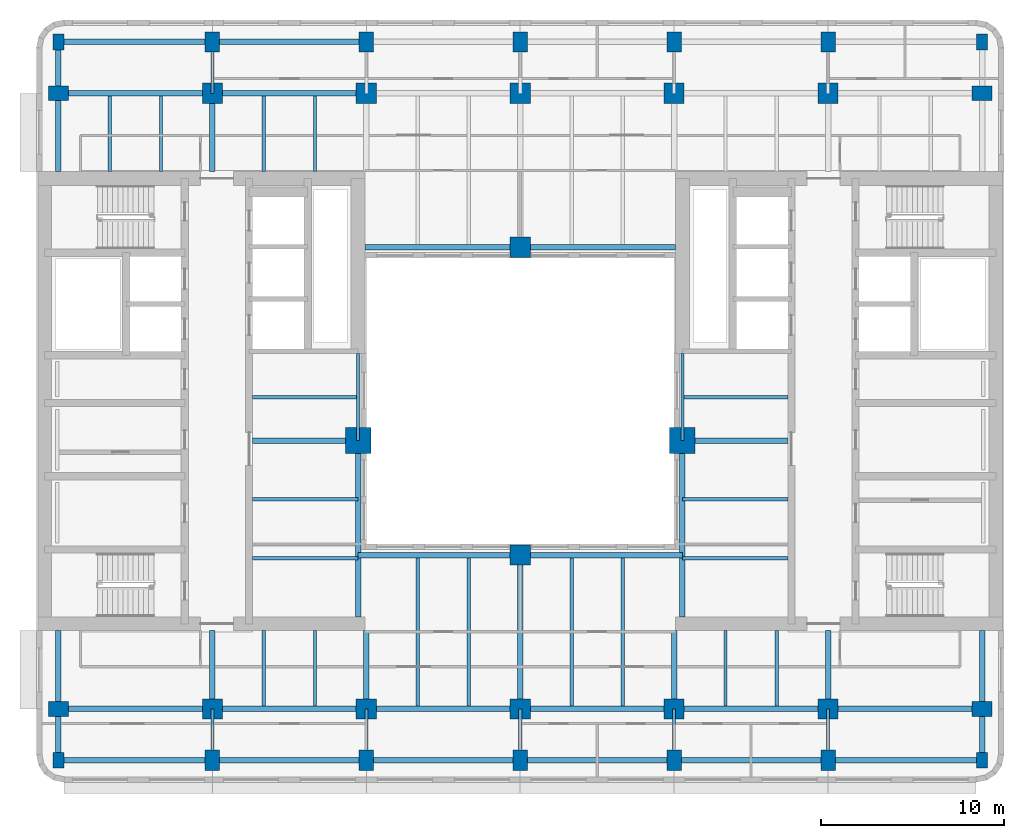
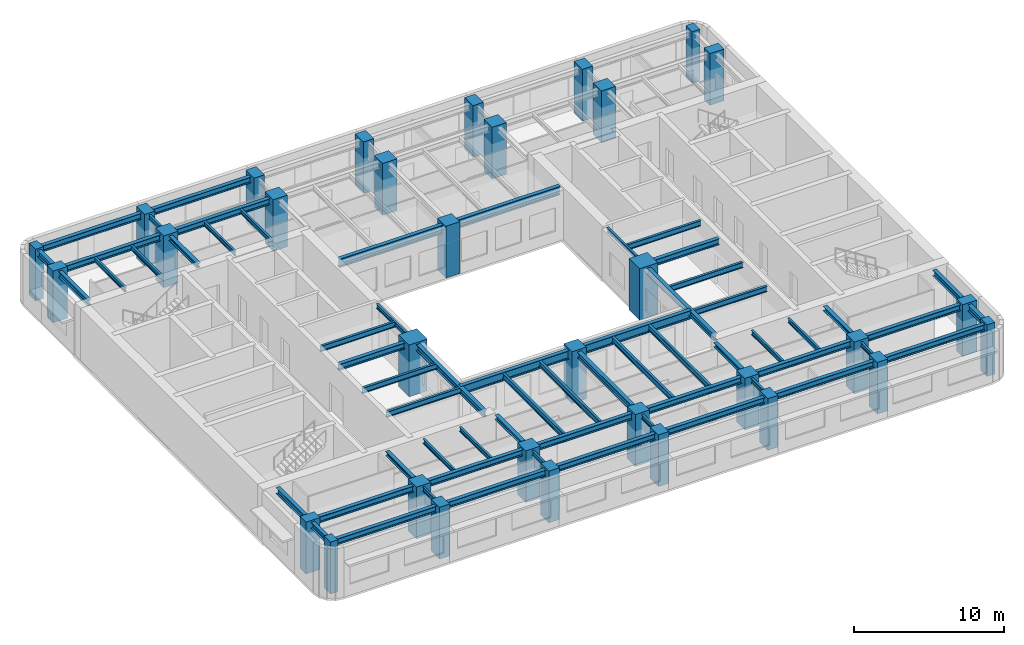
# One storey, part 1 of 11: 62 beams, 32 columns.
"""IFC4 building model written with IfcOpenShell, lengths in metres."""

from ifc_helpers import new_model, si_unit, direction, frame, origin, origin_2d, place, context, subcontext, project, spatial, rectangle, i_section, extrude, material, material_profile, profile_set, type_object, element, save


model = new_model("IFC4")

# Units and contexts
model_context = context("Model", 3, precision=1e-05, world=origin(), true_north=direction((0.0, 1.0)))
body_context = subcontext(model_context, "Body", "Model", "MODEL_VIEW")
ifc_project = project(units=[si_unit("LENGTHUNIT", "METRE"), si_unit("AREAUNIT", "SQUARE_METRE"), si_unit("VOLUMEUNIT", "CUBIC_METRE"), si_unit("PLANEANGLEUNIT", "RADIAN"), si_unit("MASSUNIT", "GRAM", prefix="KILO")], contexts=[model_context])

# Site, building, storey
site_placement = place(None, origin())
site = spatial("IfcSite", under=ifc_project, at=site_placement, CompositionType="ELEMENT")
building_placement = place(site_placement, origin())
building = spatial("IfcBuilding", under=site, at=building_placement, Name="Claustro Exchange Tower", CompositionType="ELEMENT")
storey_placement = place(building_placement, frame((0.0, 0.0, 232.199951171875)))
storey = spatial("IfcBuildingStorey", under=building, at=storey_placement, Name="L53", CompositionType="ELEMENT", Elevation=232.199951171875)

# Columns
ifc_material_1 = material(Name="Concrete HA-70 (C70/85)", Category="concrete")
ifc_material_profile_1 = material_profile(ifc_material_1, rectangle(XDim=1.39990234375, YDim=1.39990234375, at=origin_2d()), Name="RC 1400x1400")
ifc_profile_set_1 = profile_set([ifc_material_profile_1], Name="Concrete HA-70 (C70/85)")
column_type_1 = type_object("IfcColumnType", Name="C0 RC 1400x1400 HA-70 column", PredefinedType="COLUMN", material=ifc_profile_set_1)
for number, where, z_axis, x_axis, name in (
    (1, (16.35009765625, 23.050048828125, 0.0), (0.0, 0.0, 1.0), (1.0, 0.0, 0.0), "Column C0 2+7950/C+6250 L53"),
    (2, (34.050048828125, 23.050048828125, 0.0), (0.0, 0.0, 1.0), (1.0, 0.0, 0.0), "Column C0 5+450/C+6250 L53"),
):
    element("IfcColumn", number, at=place(storey_placement, frame(where, z_axis=z_axis, x_axis=x_axis)), inside=storey, type_object=column_type_1, Name=name, PredefinedType="COLUMN", context=body_context, shape_type="SweptSolid", body=[
        extrude(rectangle(XDim=1.39990234375, YDim=1.39990234375, at=origin_2d()), origin(), (0.0, 0.0, 1.0), 4.199951171875),
    ])
ifc_material_2 = material(Name="Concrete HA-70 (C70/85)", Category="concrete")
ifc_material_profile_2 = material_profile(ifc_material_2, rectangle(XDim=1.10009765625, YDim=1.10009765625, at=origin_2d()), Name="RC 1100x1100")
ifc_profile_set_2 = profile_set([ifc_material_profile_2], Name="Concrete HA-70 (C70/85)")
column_type_2 = type_object("IfcColumnType", Name="C17 RC 1100x1100 HA-70 column", PredefinedType="COLUMN", material=ifc_profile_set_2)
for number, where, z_axis, x_axis, name in (
    (3, (8.39990234375, 8.39990234375, 0.0), (0.0, 0.0, 1.0), (1.0, 0.0, 0.0), "Column C17 2/B L53"),
    (4, (8.39990234375, 42.0, 0.0), (0.0, 0.0, 1.0), (1.0, 0.0, 0.0), "Column C17 2/F L53"),
    (5, (16.800048828125, 8.39990234375, 0.0), (0.0, 0.0, 1.0), (1.0, 0.0, 0.0), "Column C17 3/B L53"),
    (6, (16.800048828125, 42.0, 0.0), (0.0, 0.0, 1.0), (1.0, 0.0, 0.0), "Column C17 3/F L53"),
    (7, (25.199951171875, 8.39990234375, 0.0), (0.0, 0.0, 1.0), (1.0, 0.0, 0.0), "Column C17 4/B L53"),
    (8, (25.199951171875, 42.0, 0.0), (0.0, 0.0, 1.0), (1.0, 0.0, 0.0), "Column C17 4/F L53"),
    (9, (25.199951171875, 16.800048828125, 0.0), (0.0, 0.0, 1.0), (1.0, 0.0, 0.0), "Column C17 4/C L53"),
    (10, (25.199951171875, 33.60009765625, 0.0), (0.0, 0.0, 1.0), (1.0, 0.0, 0.0), "Column C17 4/E L53"),
    (11, (33.60009765625, 8.39990234375, 0.0), (0.0, 0.0, 1.0), (1.0, 0.0, 0.0), "Column C17 5/B L53"),
    (12, (33.60009765625, 42.0, 0.0), (0.0, 0.0, 1.0), (1.0, 0.0, 0.0), "Column C17 5/F L53"),
    (13, (42.0, 8.39990234375, 0.0), (0.0, 0.0, 1.0), (1.0, 0.0, 0.0), "Column C17 6/B L53"),
    (14, (42.0, 42.0, 0.0), (0.0, 0.0, 1.0), (1.0, 0.0, 0.0), "Column C17 6/F L53"),
):
    element("IfcColumn", number, at=place(storey_placement, frame(where, z_axis=z_axis, x_axis=x_axis)), inside=storey, type_object=column_type_2, Name=name, PredefinedType="COLUMN", context=body_context, shape_type="SweptSolid", body=[
        extrude(rectangle(XDim=1.10009765625, YDim=1.10009765625, at=origin_2d()), origin(), (0.0, 0.0, 1.0), 4.199951171875),
    ])
ifc_material_3 = material(Name="Concrete HA-50 (C50/60)", Category="concrete")
ifc_material_profile_3 = material_profile(ifc_material_3, rectangle(XDim=0.800048828125, YDim=1.10009765625, at=origin_2d()), Name="RC 800x1100")
ifc_profile_set_3 = profile_set([ifc_material_profile_3], Name="Concrete HA-50 (C50/60)")
column_type_3 = type_object("IfcColumnType", Name="C23 RC 800x1100 HA-50 perimeter column", PredefinedType="COLUMN", material=ifc_profile_set_3)
for number, where, z_axis, x_axis, name in (
    (15, (0.0, 8.39990234375, 0.0), (0.0, 0.0, 1.0), (0.0, 1.0, 0.0), "Column C23 1/B L53"),
    (16, (0.0, 42.0, 0.0), (0.0, 0.0, 1.0), (0.0, 1.0, 0.0), "Column C23 1/F L53"),
    (17, (8.39990234375, 5.60009765625, 0.0), (0.0, 0.0, 1.0), (1.0, 0.0, 0.0), "Column C23 2/A+5600 L53"),
    (18, (8.39990234375, 44.800048828125, 0.0), (0.0, 0.0, 1.0), (1.0, 0.0, 0.0), "Column C23 2/F+2800 L53"),
    (19, (16.800048828125, 5.60009765625, 0.0), (0.0, 0.0, 1.0), (1.0, 0.0, 0.0), "Column C23 3/A+5600 L53"),
    (20, (16.800048828125, 44.800048828125, 0.0), (0.0, 0.0, 1.0), (1.0, 0.0, 0.0), "Column C23 3/F+2800 L53"),
    (21, (25.199951171875, 5.60009765625, 0.0), (0.0, 0.0, 1.0), (1.0, 0.0, 0.0), "Column C23 4/A+5600 L53"),
    (22, (25.199951171875, 44.800048828125, 0.0), (0.0, 0.0, 1.0), (1.0, 0.0, 0.0), "Column C23 4/F+2800 L53"),
    (23, (33.60009765625, 5.60009765625, 0.0), (0.0, 0.0, 1.0), (1.0, 0.0, 0.0), "Column C23 5/A+5600 L53"),
    (24, (33.60009765625, 44.800048828125, 0.0), (0.0, 0.0, 1.0), (1.0, 0.0, 0.0), "Column C23 5/F+2800 L53"),
    (25, (42.0, 5.60009765625, 0.0), (0.0, 0.0, 1.0), (1.0, 0.0, 0.0), "Column C23 6/A+5600 L53"),
    (26, (42.0, 44.800048828125, 0.0), (0.0, 0.0, 1.0), (1.0, 0.0, 0.0), "Column C23 6/F+2800 L53"),
    (27, (50.39990234375, 8.39990234375, 0.0), (0.0, 0.0, 1.0), (0.0, 1.0, 0.0), "Column C23 7/B L53"),
    (28, (50.39990234375, 42.0, 0.0), (0.0, 0.0, 1.0), (0.0, 1.0, 0.0), "Column C23 7/F L53"),
):
    element("IfcColumn", number, at=place(storey_placement, frame(where, z_axis=z_axis, x_axis=x_axis)), inside=storey, type_object=column_type_3, Name=name, PredefinedType="COLUMN", context=body_context, shape_type="SweptSolid", body=[
        extrude(rectangle(XDim=0.800048828125, YDim=1.10009765625, at=origin_2d()), origin(), (0.0, 0.0, 1.0), 4.199951171875),
    ])
ifc_material_4 = material(Name="Concrete HA-50 (C50/60)", Category="concrete")
ifc_material_profile_4 = material_profile(ifc_material_4, rectangle(XDim=0.60009765625, YDim=0.85009765625, at=origin_2d()), Name="RC 600x850")
ifc_profile_set_4 = profile_set([ifc_material_profile_4], Name="Concrete HA-50 (C50/60)")
column_type_4 = type_object("IfcColumnType", Name="C25 RC 600x850 HA-50 corner column", PredefinedType="COLUMN", material=ifc_profile_set_4)
for number, where, z_axis, x_axis, name in (
    (29, (0.0, 5.60009765625, 0.0), (0.0, 0.0, 1.0), (1.0, 0.0, 0.0), "Column C25 1/A+5600 L53"),
    (30, (0.0, 44.800048828125, 0.0), (0.0, 0.0, 1.0), (1.0, 0.0, 0.0), "Column C25 1/F+2800 L53"),
    (31, (50.39990234375, 5.60009765625, 0.0), (0.0, 0.0, 1.0), (1.0, 0.0, 0.0), "Column C25 7/A+5600 L53"),
    (32, (50.39990234375, 44.800048828125, 0.0), (0.0, 0.0, 1.0), (1.0, 0.0, 0.0), "Column C25 7/F+2800 L53"),
):
    element("IfcColumn", number, at=place(storey_placement, frame(where, z_axis=z_axis, x_axis=x_axis)), inside=storey, type_object=column_type_4, Name=name, PredefinedType="COLUMN", context=body_context, shape_type="SweptSolid", body=[
        extrude(rectangle(XDim=0.60009765625, YDim=0.85009765625, at=origin_2d()), origin(), (0.0, 0.0, 1.0), 4.199951171875),
    ])

# Beams
ifc_material_5 = material(Name="Steel S355", Category="steel")
ifc_material_profile_5 = material_profile(ifc_material_5, i_section(OverallWidth=0.300048828125, OverallDepth=0.68994140625, WebThickness=0.014404296875, FlangeThickness=0.027099609375, FilletRadius=0.027099609375, at=origin_2d()), Name="HE 700 A")
ifc_profile_set_5 = profile_set([ifc_material_profile_5], Name="Steel S355")
beam_type_1 = type_object("IfcBeamType", Name="B13 HE 700 A light well edge girder", PredefinedType="BEAM", material=ifc_profile_set_5)
beam_1_placement = place(storey_placement, frame((16.35009765625, 16.800048828125, 3.705078125), z_axis=(1.0, 0.0, 0.0), x_axis=(0.0, 1.0, 0.0)))
element("IfcBeam", 33, at=beam_1_placement, inside=storey, type_object=beam_type_1, Name="Beam B13 L54", PredefinedType="BEAM", context=body_context, shape_type="SweptSolid", body=[
    extrude(i_section(OverallWidth=0.300048828125, OverallDepth=0.68994140625, WebThickness=0.014404296875, FlangeThickness=0.027099609375, FilletRadius=0.027099609375, at=origin_2d()), origin(), (0.0, 0.0, 1.0), 8.849853515625),
])
beam_2_placement = place(storey_placement, frame((25.199951171875, 16.800048828125, 3.705078125), z_axis=(1.0, 0.0, 0.0), x_axis=(0.0, 1.0, 0.0)))
element("IfcBeam", 34, at=beam_2_placement, inside=storey, type_object=beam_type_1, Name="Beam B13 L54", PredefinedType="BEAM", context=body_context, shape_type="SweptSolid", body=[
    extrude(i_section(OverallWidth=0.300048828125, OverallDepth=0.68994140625, WebThickness=0.014404296875, FlangeThickness=0.027099609375, FilletRadius=0.027099609375, at=origin_2d()), origin(), (0.0, 0.0, 1.0), 8.85009765625),
])
beam_3_placement = place(storey_placement, frame((16.72509765625, 33.60009765625, 3.705078125), z_axis=(1.0, 0.0, 0.0), x_axis=(0.0, 1.0, 0.0)))
element("IfcBeam", 35, at=beam_3_placement, inside=storey, type_object=beam_type_1, Name="Beam B13 L54", PredefinedType="BEAM", context=body_context, shape_type="SweptSolid", body=[
    extrude(i_section(OverallWidth=0.300048828125, OverallDepth=0.68994140625, WebThickness=0.014404296875, FlangeThickness=0.027099609375, FilletRadius=0.027099609375, at=origin_2d()), origin(), (0.0, 0.0, 1.0), 8.474853515625),
])
beam_4_placement = place(storey_placement, frame((25.199951171875, 33.60009765625, 3.705078125), z_axis=(1.0, 0.0, 0.0), x_axis=(0.0, 1.0, 0.0)))
element("IfcBeam", 36, at=beam_4_placement, inside=storey, type_object=beam_type_1, Name="Beam B13 L54", PredefinedType="BEAM", context=body_context, shape_type="SweptSolid", body=[
    extrude(i_section(OverallWidth=0.300048828125, OverallDepth=0.68994140625, WebThickness=0.014404296875, FlangeThickness=0.027099609375, FilletRadius=0.027099609375, at=origin_2d()), origin(), (0.0, 0.0, 1.0), 8.47509765625),
])
ifc_material_6 = material(Name="Steel S355", Category="steel")
ifc_material_profile_6 = material_profile(ifc_material_6, i_section(OverallWidth=0.169921875, OverallDepth=0.360107421875, WebThickness=0.008056640625, FlangeThickness=0.0126953125, FilletRadius=0.01806640625, at=origin_2d()), Name="IPE 360")
ifc_profile_set_6 = profile_set([ifc_material_profile_6], Name="Steel S355")
beam_type_2 = type_object("IfcBeamType", Name="B16 IPE 360 short-span beam", PredefinedType="BEAM", material=ifc_profile_set_6)
beam_5_placement = place(storey_placement, frame((8.39990234375, 5.60009765625, 3.8701171875), z_axis=(0.0, 1.0, 0.0), x_axis=(-1.0, 0.0, 0.0)))
element("IfcBeam", 37, at=beam_5_placement, inside=storey, type_object=beam_type_2, Name="Beam B16 L54", PredefinedType="BEAM", context=body_context, shape_type="SweptSolid", body=[
    extrude(i_section(OverallWidth=0.169921875, OverallDepth=0.360107421875, WebThickness=0.008056640625, FlangeThickness=0.0126953125, FilletRadius=0.01806640625, at=origin_2d()), origin(), (0.0, 0.0, 1.0), 2.7998046875),
])
beam_6_placement = place(storey_placement, frame((8.39990234375, 42.0, 3.8701171875), z_axis=(0.0, 1.0, 0.0), x_axis=(-1.0, 0.0, 0.0)))
element("IfcBeam", 38, at=beam_6_placement, inside=storey, type_object=beam_type_2, Name="Beam B16 L54", PredefinedType="BEAM", context=body_context, shape_type="SweptSolid", body=[
    extrude(i_section(OverallWidth=0.169921875, OverallDepth=0.360107421875, WebThickness=0.008056640625, FlangeThickness=0.0126953125, FilletRadius=0.01806640625, at=origin_2d()), origin(), (0.0, 0.0, 1.0), 2.800048828125),
])
for number, where, z_axis, x_axis, name in (
    (39, (16.800048828125, 5.60009765625, 3.8701171875), (0.0, 1.0, 0.0), (-1.0, 0.0, 0.0), "Beam B16 L54"),
    (40, (25.199951171875, 5.60009765625, 3.8701171875), (0.0, 1.0, 0.0), (-1.0, 0.0, 0.0), "Beam B16 L54"),
    (41, (33.60009765625, 5.60009765625, 3.8701171875), (0.0, 1.0, 0.0), (-1.0, 0.0, 0.0), "Beam B16 L54"),
    (42, (42.0, 5.60009765625, 3.8701171875), (0.0, 1.0, 0.0), (-1.0, 0.0, 0.0), "Beam B16 L54"),
):
    element("IfcBeam", number, at=place(storey_placement, frame(where, z_axis=z_axis, x_axis=x_axis)), inside=storey, type_object=beam_type_2, Name=name, PredefinedType="BEAM", context=body_context, shape_type="SweptSolid", body=[
        extrude(i_section(OverallWidth=0.169921875, OverallDepth=0.360107421875, WebThickness=0.008056640625, FlangeThickness=0.0126953125, FilletRadius=0.01806640625, at=origin_2d()), origin(), (0.0, 0.0, 1.0), 2.7998046875),
    ])
for number, where, z_axis, x_axis, name in (
    (43, (2.800048828125, 37.72509765625, 3.8701171875), (0.0, 1.0, 0.0), (-1.0, 0.0, 0.0), "Beam B16 L54"),
    (44, (5.60009765625, 37.72509765625, 3.8701171875), (0.0, 1.0, 0.0), (-1.0, 0.0, 0.0), "Beam B16 L54"),
    (45, (11.199951171875, 8.550048828125, 3.8701171875), (0.0, 1.0, 0.0), (-1.0, 0.0, 0.0), "Beam B16 L54"),
    (46, (14.0, 8.550048828125, 3.8701171875), (0.0, 1.0, 0.0), (-1.0, 0.0, 0.0), "Beam B16 L54"),
    (47, (11.199951171875, 37.72509765625, 3.8701171875), (0.0, 1.0, 0.0), (-1.0, 0.0, 0.0), "Beam B16 L54"),
    (48, (14.0, 37.72509765625, 3.8701171875), (0.0, 1.0, 0.0), (-1.0, 0.0, 0.0), "Beam B16 L54"),
    (49, (36.39990234375, 8.550048828125, 3.8701171875), (0.0, 1.0, 0.0), (-1.0, 0.0, 0.0), "Beam B16 L54"),
    (50, (39.199951171875, 8.550048828125, 3.8701171875), (0.0, 1.0, 0.0), (-1.0, 0.0, 0.0), "Beam B16 L54"),
):
    element("IfcBeam", number, at=place(storey_placement, frame(where, z_axis=z_axis, x_axis=x_axis)), inside=storey, type_object=beam_type_2, Name=name, PredefinedType="BEAM", context=body_context, shape_type="SweptSolid", body=[
        extrude(i_section(OverallWidth=0.169921875, OverallDepth=0.360107421875, WebThickness=0.008056640625, FlangeThickness=0.0126953125, FilletRadius=0.01806640625, at=origin_2d()), origin(), (0.0, 0.0, 1.0), 4.125),
    ])
for number, where, z_axis, x_axis, name in (
    (51, (16.35009765625, 23.050048828125, 3.8701171875), (0.0, 1.0, 0.0), (-1.0, 0.0, 0.0), "Beam B16 core step framing L54"),
    (52, (34.050048828125, 23.050048828125, 3.8701171875), (0.0, 1.0, 0.0), (-1.0, 0.0, 0.0), "Beam B16 core step framing L54"),
):
    element("IfcBeam", number, at=place(storey_placement, frame(where, z_axis=z_axis, x_axis=x_axis)), inside=storey, type_object=beam_type_2, Name=name, PredefinedType="BEAM", context=body_context, shape_type="SweptSolid", body=[
        extrude(i_section(OverallWidth=0.169921875, OverallDepth=0.360107421875, WebThickness=0.008056640625, FlangeThickness=0.0126953125, FilletRadius=0.01806640625, at=origin_2d()), origin(), (0.0, 0.0, 1.0), 4.75),
    ])
ifc_material_7 = material(Name="Steel S355", Category="steel")
ifc_material_profile_7 = material_profile(ifc_material_7, i_section(OverallWidth=0.300048828125, OverallDepth=0.360107421875, WebThickness=0.012451171875, FlangeThickness=0.0224609375, FilletRadius=0.027099609375, at=origin_2d()), Name="HE 360 B")
ifc_profile_set_7 = profile_set([ifc_material_profile_7], Name="Steel S355")
beam_type_3 = type_object("IfcBeamType", Name="B29 HE 360 B column to core link beam", PredefinedType="BEAM", material=ifc_profile_set_7)
beam_7_placement = place(storey_placement, frame((8.39990234375, 8.39990234375, 3.8701171875), z_axis=(0.0, 1.0, 0.0), x_axis=(-1.0, 0.0, 0.0)))
element("IfcBeam", 53, at=beam_7_placement, inside=storey, type_object=beam_type_3, Name="Beam B29 L54", PredefinedType="BEAM", context=body_context, shape_type="SweptSolid", body=[
    extrude(i_section(OverallWidth=0.300048828125, OverallDepth=0.360107421875, WebThickness=0.012451171875, FlangeThickness=0.0224609375, FilletRadius=0.027099609375, at=origin_2d()), origin(), (0.0, 0.0, 1.0), 4.275146484375),
])
beam_8_placement = place(storey_placement, frame((8.39990234375, 37.72509765625, 3.8701171875), z_axis=(0.0, 1.0, 0.0), x_axis=(-1.0, 0.0, 0.0)))
element("IfcBeam", 54, at=beam_8_placement, inside=storey, type_object=beam_type_3, Name="Beam B29 L54", PredefinedType="BEAM", context=body_context, shape_type="SweptSolid", body=[
    extrude(i_section(OverallWidth=0.300048828125, OverallDepth=0.360107421875, WebThickness=0.012451171875, FlangeThickness=0.0224609375, FilletRadius=0.027099609375, at=origin_2d()), origin(), (0.0, 0.0, 1.0), 4.27490234375),
])
for number, where, z_axis, x_axis, name in (
    (55, (16.800048828125, 8.39990234375, 3.8701171875), (0.0, 1.0, 0.0), (-1.0, 0.0, 0.0), "Beam B29 L54"),
    (56, (33.60009765625, 8.39990234375, 3.8701171875), (0.0, 1.0, 0.0), (-1.0, 0.0, 0.0), "Beam B29 L54"),
    (57, (42.0, 8.39990234375, 3.8701171875), (0.0, 1.0, 0.0), (-1.0, 0.0, 0.0), "Beam B29 L54"),
):
    element("IfcBeam", number, at=place(storey_placement, frame(where, z_axis=z_axis, x_axis=x_axis)), inside=storey, type_object=beam_type_3, Name=name, PredefinedType="BEAM", context=body_context, shape_type="SweptSolid", body=[
        extrude(i_section(OverallWidth=0.300048828125, OverallDepth=0.360107421875, WebThickness=0.012451171875, FlangeThickness=0.0224609375, FilletRadius=0.027099609375, at=origin_2d()), origin(), (0.0, 0.0, 1.0), 4.275146484375),
    ])
ifc_material_8 = material(Name="Steel S355", Category="steel")
ifc_material_profile_8 = material_profile(ifc_material_8, i_section(OverallWidth=0.300048828125, OverallDepth=0.5, WebThickness=0.014404296875, FlangeThickness=0.028076171875, FilletRadius=0.027099609375, at=origin_2d()), Name="HE 500 B")
ifc_profile_set_8 = profile_set([ifc_material_profile_8], Name="Steel S355")
beam_type_4 = type_object("IfcBeamType", Name="B7 HE 500 B floor girder", PredefinedType="BEAM", material=ifc_profile_set_8)
beam_9_placement = place(storey_placement, frame((25.199951171875, 8.39990234375, 3.800048828125), z_axis=(0.0, 1.0, 0.0), x_axis=(-1.0, 0.0, 0.0)))
element("IfcBeam", 58, at=beam_9_placement, inside=storey, type_object=beam_type_4, Name="Beam B7 L54", PredefinedType="BEAM", context=body_context, shape_type="SweptSolid", body=[
    extrude(i_section(OverallWidth=0.300048828125, OverallDepth=0.5, WebThickness=0.014404296875, FlangeThickness=0.028076171875, FilletRadius=0.027099609375, at=origin_2d()), origin(), (0.0, 0.0, 1.0), 8.400146484375),
])
beam_10_placement = place(storey_placement, frame((0.0, 8.39990234375, 3.800048828125), z_axis=(1.0, 0.0, 0.0), x_axis=(0.0, 1.0, 0.0)))
element("IfcBeam", 59, at=beam_10_placement, inside=storey, type_object=beam_type_4, Name="Beam B7 L54", PredefinedType="BEAM", context=body_context, shape_type="SweptSolid", body=[
    extrude(i_section(OverallWidth=0.300048828125, OverallDepth=0.5, WebThickness=0.014404296875, FlangeThickness=0.028076171875, FilletRadius=0.027099609375, at=origin_2d()), origin(), (0.0, 0.0, 1.0), 8.39990234375),
])
beam_11_placement = place(storey_placement, frame((8.39990234375, 8.39990234375, 3.800048828125), z_axis=(1.0, 0.0, 0.0), x_axis=(0.0, 1.0, 0.0)))
element("IfcBeam", 60, at=beam_11_placement, inside=storey, type_object=beam_type_4, Name="Beam B7 L54", PredefinedType="BEAM", context=body_context, shape_type="SweptSolid", body=[
    extrude(i_section(OverallWidth=0.300048828125, OverallDepth=0.5, WebThickness=0.014404296875, FlangeThickness=0.028076171875, FilletRadius=0.027099609375, at=origin_2d()), origin(), (0.0, 0.0, 1.0), 8.400146484375),
])
beam_12_placement = place(storey_placement, frame((16.800048828125, 8.39990234375, 3.800048828125), z_axis=(1.0, 0.0, 0.0), x_axis=(0.0, 1.0, 0.0)))
element("IfcBeam", 61, at=beam_12_placement, inside=storey, type_object=beam_type_4, Name="Beam B7 L54", PredefinedType="BEAM", context=body_context, shape_type="SweptSolid", body=[
    extrude(i_section(OverallWidth=0.300048828125, OverallDepth=0.5, WebThickness=0.014404296875, FlangeThickness=0.028076171875, FilletRadius=0.027099609375, at=origin_2d()), origin(), (0.0, 0.0, 1.0), 8.39990234375),
])
beam_13_placement = place(storey_placement, frame((25.199951171875, 8.39990234375, 3.800048828125), z_axis=(1.0, 0.0, 0.0), x_axis=(0.0, 1.0, 0.0)))
element("IfcBeam", 62, at=beam_13_placement, inside=storey, type_object=beam_type_4, Name="Beam B7 L54", PredefinedType="BEAM", context=body_context, shape_type="SweptSolid", body=[
    extrude(i_section(OverallWidth=0.300048828125, OverallDepth=0.5, WebThickness=0.014404296875, FlangeThickness=0.028076171875, FilletRadius=0.027099609375, at=origin_2d()), origin(), (0.0, 0.0, 1.0), 8.400146484375),
])
for number, where, z_axis, x_axis, name in (
    (63, (33.60009765625, 8.39990234375, 3.800048828125), (1.0, 0.0, 0.0), (0.0, 1.0, 0.0), "Beam B7 L54"),
    (64, (42.0, 8.39990234375, 3.800048828125), (1.0, 0.0, 0.0), (0.0, 1.0, 0.0), "Beam B7 L54"),
    (65, (0.0, 42.0, 3.800048828125), (1.0, 0.0, 0.0), (0.0, 1.0, 0.0), "Beam B7 L54"),
):
    element("IfcBeam", number, at=place(storey_placement, frame(where, z_axis=z_axis, x_axis=x_axis)), inside=storey, type_object=beam_type_4, Name=name, PredefinedType="BEAM", context=body_context, shape_type="SweptSolid", body=[
        extrude(i_section(OverallWidth=0.300048828125, OverallDepth=0.5, WebThickness=0.014404296875, FlangeThickness=0.028076171875, FilletRadius=0.027099609375, at=origin_2d()), origin(), (0.0, 0.0, 1.0), 8.39990234375),
    ])
beam_14_placement = place(storey_placement, frame((8.39990234375, 42.0, 3.800048828125), z_axis=(1.0, 0.0, 0.0), x_axis=(0.0, 1.0, 0.0)))
element("IfcBeam", 66, at=beam_14_placement, inside=storey, type_object=beam_type_4, Name="Beam B7 L54", PredefinedType="BEAM", context=body_context, shape_type="SweptSolid", body=[
    extrude(i_section(OverallWidth=0.300048828125, OverallDepth=0.5, WebThickness=0.014404296875, FlangeThickness=0.028076171875, FilletRadius=0.027099609375, at=origin_2d()), origin(), (0.0, 0.0, 1.0), 8.400146484375),
])
beam_15_placement = place(storey_placement, frame((10.60009765625, 23.050048828125, 3.800048828125), z_axis=(1.0, 0.0, 0.0), x_axis=(0.0, 1.0, 0.0)))
element("IfcBeam", 67, at=beam_15_placement, inside=storey, type_object=beam_type_4, Name="Beam B7 core step framing L54", PredefinedType="BEAM", context=body_context, shape_type="SweptSolid", body=[
    extrude(i_section(OverallWidth=0.300048828125, OverallDepth=0.5, WebThickness=0.014404296875, FlangeThickness=0.028076171875, FilletRadius=0.027099609375, at=origin_2d()), origin(), (0.0, 0.0, 1.0), 5.75),
])
beam_16_placement = place(storey_placement, frame((16.35009765625, 13.425048828125, 3.800048828125), z_axis=(0.0, 1.0, 0.0), x_axis=(-1.0, 0.0, 0.0)))
element("IfcBeam", 68, at=beam_16_placement, inside=storey, type_object=beam_type_4, Name="Beam B7 core step framing L54", PredefinedType="BEAM", context=body_context, shape_type="SweptSolid", body=[
    extrude(i_section(OverallWidth=0.300048828125, OverallDepth=0.5, WebThickness=0.014404296875, FlangeThickness=0.028076171875, FilletRadius=0.027099609375, at=origin_2d()), origin(), (0.0, 0.0, 1.0), 9.625),
])
beam_17_placement = place(storey_placement, frame((34.050048828125, 23.050048828125, 3.800048828125), z_axis=(1.0, 0.0, 0.0), x_axis=(0.0, 1.0, 0.0)))
element("IfcBeam", 69, at=beam_17_placement, inside=storey, type_object=beam_type_4, Name="Beam B7 core step framing L54", PredefinedType="BEAM", context=body_context, shape_type="SweptSolid", body=[
    extrude(i_section(OverallWidth=0.300048828125, OverallDepth=0.5, WebThickness=0.014404296875, FlangeThickness=0.028076171875, FilletRadius=0.027099609375, at=origin_2d()), origin(), (0.0, 0.0, 1.0), 5.75),
])
beam_18_placement = place(storey_placement, frame((34.050048828125, 13.425048828125, 3.800048828125), z_axis=(0.0, 1.0, 0.0), x_axis=(-1.0, 0.0, 0.0)))
element("IfcBeam", 70, at=beam_18_placement, inside=storey, type_object=beam_type_4, Name="Beam B7 core step framing L54", PredefinedType="BEAM", context=body_context, shape_type="SweptSolid", body=[
    extrude(i_section(OverallWidth=0.300048828125, OverallDepth=0.5, WebThickness=0.014404296875, FlangeThickness=0.028076171875, FilletRadius=0.027099609375, at=origin_2d()), origin(), (0.0, 0.0, 1.0), 9.625),
])
ifc_material_9 = material(Name="Steel S355", Category="steel")
ifc_material_profile_9 = material_profile(ifc_material_9, i_section(OverallWidth=0.18994140625, OverallDepth=0.449951171875, WebThickness=0.009521484375, FlangeThickness=0.0146484375, FilletRadius=0.02099609375, at=origin_2d()), Name="IPE 450")
ifc_profile_set_9 = profile_set([ifc_material_profile_9], Name="Steel S355")
beam_type_5 = type_object("IfcBeamType", Name="B8 IPE 450 secondary beam", PredefinedType="BEAM", material=ifc_profile_set_9)
for number, where, z_axis, x_axis, name in (
    (71, (19.60009765625, 8.550048828125, 3.824951171875), (0.0, 1.0, 0.0), (-1.0, 0.0, 0.0), "Beam B8 L54"),
    (72, (22.39990234375, 8.550048828125, 3.824951171875), (0.0, 1.0, 0.0), (-1.0, 0.0, 0.0), "Beam B8 L54"),
    (73, (28.0, 8.550048828125, 3.824951171875), (0.0, 1.0, 0.0), (-1.0, 0.0, 0.0), "Beam B8 L54"),
    (74, (30.800048828125, 8.550048828125, 3.824951171875), (0.0, 1.0, 0.0), (-1.0, 0.0, 0.0), "Beam B8 L54"),
):
    element("IfcBeam", number, at=place(storey_placement, frame(where, z_axis=z_axis, x_axis=x_axis)), inside=storey, type_object=beam_type_5, Name=name, PredefinedType="BEAM", context=body_context, shape_type="SweptSolid", body=[
        extrude(i_section(OverallWidth=0.18994140625, OverallDepth=0.449951171875, WebThickness=0.009521484375, FlangeThickness=0.0146484375, FilletRadius=0.02099609375, at=origin_2d()), origin(), (0.0, 0.0, 1.0), 8.099853515625),
    ])
for number, where, z_axis, x_axis, name in (
    (75, (10.60009765625, 16.63330078125, 3.824951171875), (1.0, 0.0, 0.0), (0.0, 1.0, 0.0), "Beam B8 core step framing L54"),
    (76, (10.60009765625, 19.841796875, 3.824951171875), (1.0, 0.0, 0.0), (0.0, 1.0, 0.0), "Beam B8 core step framing L54"),
    (77, (10.60009765625, 25.425048828125, 3.824951171875), (1.0, 0.0, 0.0), (0.0, 1.0, 0.0), "Beam B8 core step framing L54"),
    (78, (34.050048828125, 16.63330078125, 3.824951171875), (1.0, 0.0, 0.0), (0.0, 1.0, 0.0), "Beam B8 core step framing L54"),
    (79, (34.050048828125, 19.841796875, 3.824951171875), (1.0, 0.0, 0.0), (0.0, 1.0, 0.0), "Beam B8 core step framing L54"),
    (80, (34.050048828125, 25.425048828125, 3.824951171875), (1.0, 0.0, 0.0), (0.0, 1.0, 0.0), "Beam B8 core step framing L54"),
):
    element("IfcBeam", number, at=place(storey_placement, frame(where, z_axis=z_axis, x_axis=x_axis)), inside=storey, type_object=beam_type_5, Name=name, PredefinedType="BEAM", context=body_context, shape_type="SweptSolid", body=[
        extrude(i_section(OverallWidth=0.18994140625, OverallDepth=0.449951171875, WebThickness=0.009521484375, FlangeThickness=0.0146484375, FilletRadius=0.02099609375, at=origin_2d()), origin(), (0.0, 0.0, 1.0), 5.75),
    ])
ifc_material_10 = material(Name="Steel S355", Category="steel")
ifc_material_profile_10 = material_profile(ifc_material_10, i_section(OverallWidth=0.300048828125, OverallDepth=0.489990234375, WebThickness=0.011962890625, FlangeThickness=0.02294921875, FilletRadius=0.027099609375, at=origin_2d()), Name="HE 500 A")
ifc_profile_set_10 = profile_set([ifc_material_profile_10], Name="Steel S355")
beam_type_6 = type_object("IfcBeamType", Name="B9 HE 500 A spandrel edge girder", PredefinedType="SPANDREL", material=ifc_profile_set_10)
beam_19_placement = place(storey_placement, frame((0.0, 5.60009765625, 3.804931640625), z_axis=(0.0, 1.0, 0.0), x_axis=(-1.0, 0.0, 0.0)))
element("IfcBeam", 81, at=beam_19_placement, inside=storey, type_object=beam_type_6, Name="Beam B9 L54", PredefinedType="SPANDREL", context=body_context, shape_type="SweptSolid", body=[
    extrude(i_section(OverallWidth=0.300048828125, OverallDepth=0.489990234375, WebThickness=0.011962890625, FlangeThickness=0.02294921875, FilletRadius=0.027099609375, at=origin_2d()), origin(), (0.0, 0.0, 1.0), 2.7998046875),
])
beam_20_placement = place(storey_placement, frame((0.0, 8.39990234375, 3.804931640625), z_axis=(0.0, 1.0, 0.0), x_axis=(-1.0, 0.0, 0.0)))
element("IfcBeam", 82, at=beam_20_placement, inside=storey, type_object=beam_type_6, Name="Beam B9 L54", PredefinedType="SPANDREL", context=body_context, shape_type="SweptSolid", body=[
    extrude(i_section(OverallWidth=0.300048828125, OverallDepth=0.489990234375, WebThickness=0.011962890625, FlangeThickness=0.02294921875, FilletRadius=0.027099609375, at=origin_2d()), origin(), (0.0, 0.0, 1.0), 4.275146484375),
])
beam_21_placement = place(storey_placement, frame((0.0, 37.72509765625, 3.804931640625), z_axis=(0.0, 1.0, 0.0), x_axis=(-1.0, 0.0, 0.0)))
element("IfcBeam", 83, at=beam_21_placement, inside=storey, type_object=beam_type_6, Name="Beam B9 L54", PredefinedType="SPANDREL", context=body_context, shape_type="SweptSolid", body=[
    extrude(i_section(OverallWidth=0.300048828125, OverallDepth=0.489990234375, WebThickness=0.011962890625, FlangeThickness=0.02294921875, FilletRadius=0.027099609375, at=origin_2d()), origin(), (0.0, 0.0, 1.0), 4.27490234375),
])
beam_22_placement = place(storey_placement, frame((0.0, 42.0, 3.804931640625), z_axis=(0.0, 1.0, 0.0), x_axis=(-1.0, 0.0, 0.0)))
element("IfcBeam", 84, at=beam_22_placement, inside=storey, type_object=beam_type_6, Name="Beam B9 L54", PredefinedType="SPANDREL", context=body_context, shape_type="SweptSolid", body=[
    extrude(i_section(OverallWidth=0.300048828125, OverallDepth=0.489990234375, WebThickness=0.011962890625, FlangeThickness=0.02294921875, FilletRadius=0.027099609375, at=origin_2d()), origin(), (0.0, 0.0, 1.0), 2.800048828125),
])
beam_23_placement = place(storey_placement, frame((50.39990234375, 5.60009765625, 3.804931640625), z_axis=(0.0, 1.0, 0.0), x_axis=(-1.0, 0.0, 0.0)))
element("IfcBeam", 85, at=beam_23_placement, inside=storey, type_object=beam_type_6, Name="Beam B9 L54", PredefinedType="SPANDREL", context=body_context, shape_type="SweptSolid", body=[
    extrude(i_section(OverallWidth=0.300048828125, OverallDepth=0.489990234375, WebThickness=0.011962890625, FlangeThickness=0.02294921875, FilletRadius=0.027099609375, at=origin_2d()), origin(), (0.0, 0.0, 1.0), 2.7998046875),
])
beam_24_placement = place(storey_placement, frame((50.39990234375, 8.39990234375, 3.804931640625), z_axis=(0.0, 1.0, 0.0), x_axis=(-1.0, 0.0, 0.0)))
element("IfcBeam", 86, at=beam_24_placement, inside=storey, type_object=beam_type_6, Name="Beam B9 L54", PredefinedType="SPANDREL", context=body_context, shape_type="SweptSolid", body=[
    extrude(i_section(OverallWidth=0.300048828125, OverallDepth=0.489990234375, WebThickness=0.011962890625, FlangeThickness=0.02294921875, FilletRadius=0.027099609375, at=origin_2d()), origin(), (0.0, 0.0, 1.0), 4.275146484375),
])
beam_25_placement = place(storey_placement, frame((0.0, 5.60009765625, 3.804931640625), z_axis=(1.0, 0.0, 0.0), x_axis=(0.0, 1.0, 0.0)))
element("IfcBeam", 87, at=beam_25_placement, inside=storey, type_object=beam_type_6, Name="Beam B9 L54", PredefinedType="SPANDREL", context=body_context, shape_type="SweptSolid", body=[
    extrude(i_section(OverallWidth=0.300048828125, OverallDepth=0.489990234375, WebThickness=0.011962890625, FlangeThickness=0.02294921875, FilletRadius=0.027099609375, at=origin_2d()), origin(), (0.0, 0.0, 1.0), 8.39990234375),
])
beam_26_placement = place(storey_placement, frame((8.39990234375, 5.60009765625, 3.804931640625), z_axis=(1.0, 0.0, 0.0), x_axis=(0.0, 1.0, 0.0)))
element("IfcBeam", 88, at=beam_26_placement, inside=storey, type_object=beam_type_6, Name="Beam B9 L54", PredefinedType="SPANDREL", context=body_context, shape_type="SweptSolid", body=[
    extrude(i_section(OverallWidth=0.300048828125, OverallDepth=0.489990234375, WebThickness=0.011962890625, FlangeThickness=0.02294921875, FilletRadius=0.027099609375, at=origin_2d()), origin(), (0.0, 0.0, 1.0), 8.400146484375),
])
beam_27_placement = place(storey_placement, frame((16.800048828125, 5.60009765625, 3.804931640625), z_axis=(1.0, 0.0, 0.0), x_axis=(0.0, 1.0, 0.0)))
element("IfcBeam", 89, at=beam_27_placement, inside=storey, type_object=beam_type_6, Name="Beam B9 L54", PredefinedType="SPANDREL", context=body_context, shape_type="SweptSolid", body=[
    extrude(i_section(OverallWidth=0.300048828125, OverallDepth=0.489990234375, WebThickness=0.011962890625, FlangeThickness=0.02294921875, FilletRadius=0.027099609375, at=origin_2d()), origin(), (0.0, 0.0, 1.0), 8.39990234375),
])
beam_28_placement = place(storey_placement, frame((25.199951171875, 5.60009765625, 3.804931640625), z_axis=(1.0, 0.0, 0.0), x_axis=(0.0, 1.0, 0.0)))
element("IfcBeam", 90, at=beam_28_placement, inside=storey, type_object=beam_type_6, Name="Beam B9 L54", PredefinedType="SPANDREL", context=body_context, shape_type="SweptSolid", body=[
    extrude(i_section(OverallWidth=0.300048828125, OverallDepth=0.489990234375, WebThickness=0.011962890625, FlangeThickness=0.02294921875, FilletRadius=0.027099609375, at=origin_2d()), origin(), (0.0, 0.0, 1.0), 8.400146484375),
])
for number, where, z_axis, x_axis, name in (
    (91, (33.60009765625, 5.60009765625, 3.804931640625), (1.0, 0.0, 0.0), (0.0, 1.0, 0.0), "Beam B9 L54"),
    (92, (42.0, 5.60009765625, 3.804931640625), (1.0, 0.0, 0.0), (0.0, 1.0, 0.0), "Beam B9 L54"),
    (93, (0.0, 44.800048828125, 3.804931640625), (1.0, 0.0, 0.0), (0.0, 1.0, 0.0), "Beam B9 L54"),
):
    element("IfcBeam", number, at=place(storey_placement, frame(where, z_axis=z_axis, x_axis=x_axis)), inside=storey, type_object=beam_type_6, Name=name, PredefinedType="SPANDREL", context=body_context, shape_type="SweptSolid", body=[
        extrude(i_section(OverallWidth=0.300048828125, OverallDepth=0.489990234375, WebThickness=0.011962890625, FlangeThickness=0.02294921875, FilletRadius=0.027099609375, at=origin_2d()), origin(), (0.0, 0.0, 1.0), 8.39990234375),
    ])
beam_29_placement = place(storey_placement, frame((8.39990234375, 44.800048828125, 3.804931640625), z_axis=(1.0, 0.0, 0.0), x_axis=(0.0, 1.0, 0.0)))
element("IfcBeam", 94, at=beam_29_placement, inside=storey, type_object=beam_type_6, Name="Beam B9 L54", PredefinedType="SPANDREL", context=body_context, shape_type="SweptSolid", body=[
    extrude(i_section(OverallWidth=0.300048828125, OverallDepth=0.489990234375, WebThickness=0.011962890625, FlangeThickness=0.02294921875, FilletRadius=0.027099609375, at=origin_2d()), origin(), (0.0, 0.0, 1.0), 8.400146484375),
])

save(model, "model.ifc")
